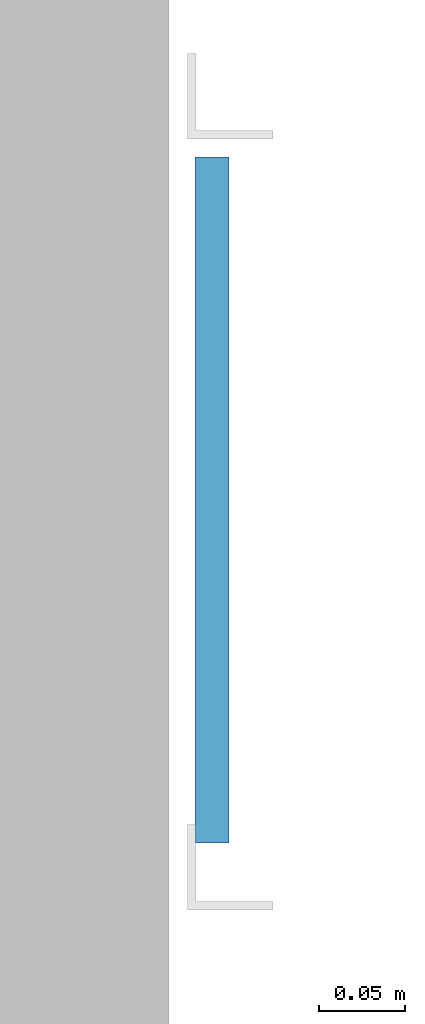
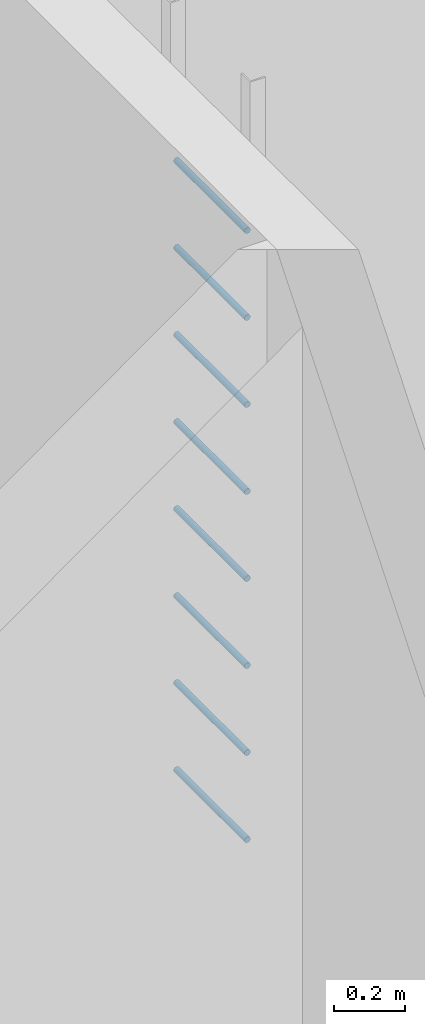
# One storey, part 13 of 41: 8 members.
"""IFC4 building model written with IfcOpenShell, lengths in metres."""

from ifc_helpers import new_model, si_unit, direction, frame, origin, origin_2d, place, context, subcontext, project, spatial, circle, extrude, material, material_profile, profile_set, type_object, element, save


model = new_model("IFC4")

# Units and contexts
model_context = context("Model", 3, precision=1e-05, world=origin(), true_north=direction((0.0, 1.0)))
body_context = subcontext(model_context, "Body", "Model", "MODEL_VIEW")
ifc_project = project(units=[si_unit("LENGTHUNIT", "METRE"), si_unit("AREAUNIT", "SQUARE_METRE"), si_unit("VOLUMEUNIT", "CUBIC_METRE"), si_unit("PLANEANGLEUNIT", "RADIAN"), si_unit("MASSUNIT", "GRAM", prefix="KILO")], contexts=[model_context])

# Site, building, storey
site_placement = place(None, origin())
site = spatial("IfcSite", under=ifc_project, at=site_placement, CompositionType="ELEMENT")
building_placement = place(site_placement, origin())
building = spatial("IfcBuilding", under=site, at=building_placement, Name="Ridgestep Commons", CompositionType="ELEMENT")
storey_placement = place(building_placement, frame((0.0, 0.0, 39.0)))
storey = spatial("IfcBuildingStorey", under=building, at=storey_placement, Name="L13", CompositionType="ELEMENT", Elevation=39.0)

# Members
ifc_material = material(Name="Structural steel S355JR", Category="steel")
ifc_material_profile = material_profile(ifc_material, circle(Radius=0.010009765625, at=origin_2d()), Name="Round bar 20")
ifc_profile_set = profile_set([ifc_material_profile], Name="Structural steel S355JR")
member_type = type_object("IfcMemberType", Name="Core ladder rung 20", PredefinedType="STRINGER", material=ifc_profile_set)
for number, where, z_axis, x_axis, name in (
    (1, (99.0, 21.64990234375, 0.300048828125), (0.0, 1.0, 0.0), (-1.0, 0.0, 0.0), "Ladder rung A6C.1"),
    (2, (99.0, 21.64990234375, 0.60009765625), (0.0, 1.0, 0.0), (-1.0, 0.0, 0.0), "Ladder rung A6C.2"),
    (3, (99.0, 21.64990234375, 0.89990234375), (0.0, 1.0, 0.0), (-1.0, 0.0, 0.0), "Ladder rung A6C.3"),
    (4, (99.0, 21.64990234375, 1.199951171875), (0.0, 1.0, 0.0), (-1.0, 0.0, 0.0), "Ladder rung A6C.4"),
    (5, (99.0, 21.64990234375, 1.5), (0.0, 1.0, 0.0), (-1.0, 0.0, 0.0), "Ladder rung A6C.5"),
    (6, (99.0, 21.64990234375, 1.800048828125), (0.0, 1.0, 0.0), (-1.0, 0.0, 0.0), "Ladder rung A6C.6"),
    (7, (99.0, 21.64990234375, 2.10009765625), (0.0, 1.0, 0.0), (-1.0, 0.0, 0.0), "Ladder rung A6C.7"),
    (8, (99.0, 21.64990234375, 2.39990234375), (0.0, 1.0, 0.0), (-1.0, 0.0, 0.0), "Ladder rung A6C.8"),
):
    element("IfcMember", number, at=place(storey_placement, frame(where, z_axis=z_axis, x_axis=x_axis)), inside=storey, type_object=member_type, Name=name, PredefinedType="STRINGER", context=body_context, shape_type="SweptSolid", body=[
        extrude(circle(Radius=0.010009765625, at=origin_2d()), origin(), (0.0, 0.0, 1.0), 0.400146484375),
    ])

save(model, "model.ifc")
